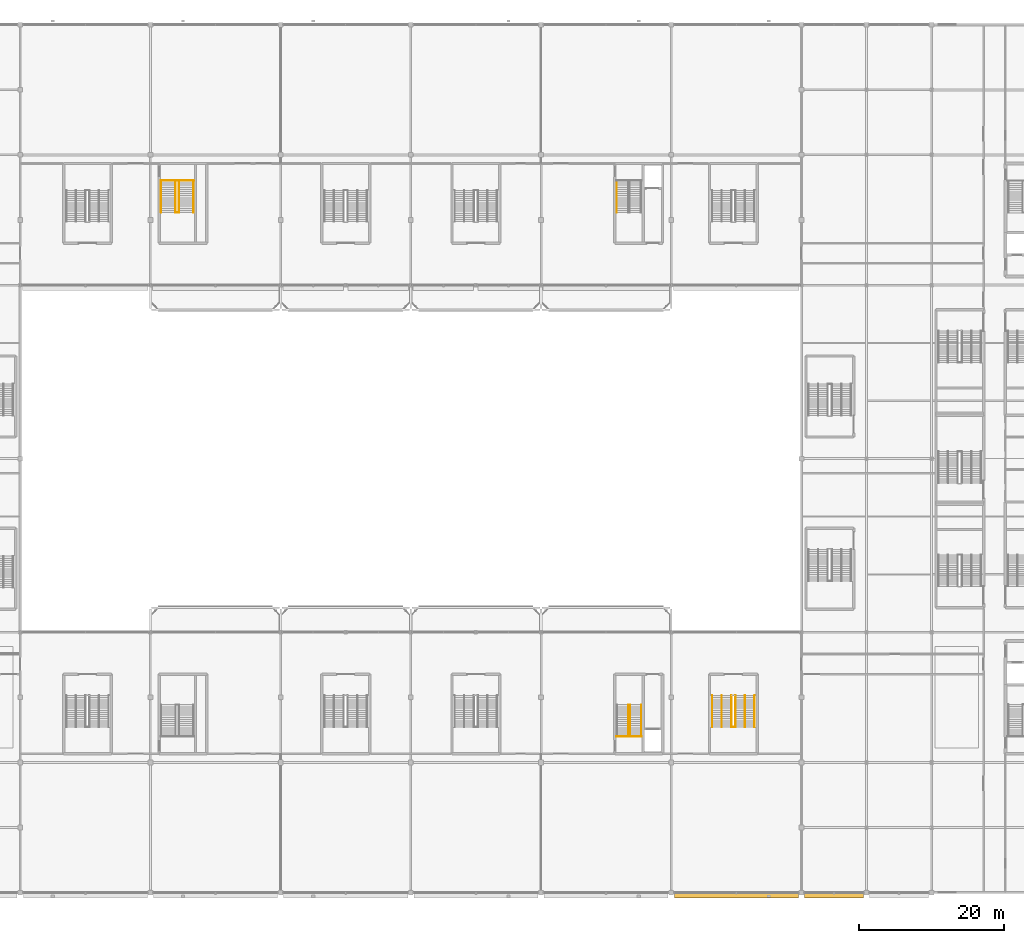
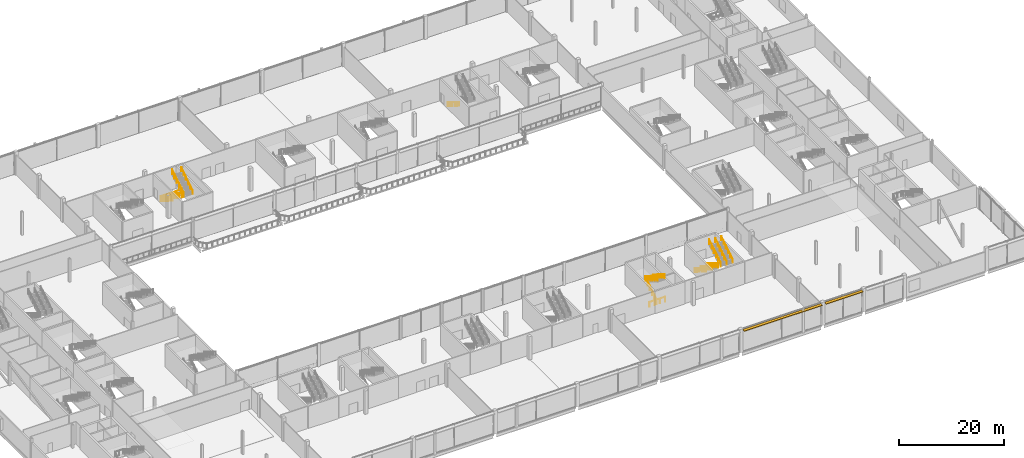
# One storey, part 106 of 113: 13 railings, 2 shading devices.
"""IFC4 building model written with IfcOpenShell, lengths in metres."""

from ifc_helpers import new_model, si_unit, direction, frame, origin, origin_2d, place, context, subcontext, project, spatial, rectangle, circle, extrude, material, type_object, element, save


model = new_model("IFC4")

# Units and contexts
model_context = context("Model", 3, precision=1e-05, world=origin(), true_north=direction((0.0, 1.0)))
body_context = subcontext(model_context, "Body", "Model", "MODEL_VIEW")
ifc_project = project(units=[si_unit("LENGTHUNIT", "METRE"), si_unit("AREAUNIT", "SQUARE_METRE"), si_unit("VOLUMEUNIT", "CUBIC_METRE"), si_unit("PLANEANGLEUNIT", "RADIAN"), si_unit("MASSUNIT", "GRAM", prefix="KILO")], contexts=[model_context])

# Site, building, storey
site_placement = place(None, origin())
site = spatial("IfcSite", under=ifc_project, at=site_placement, CompositionType="ELEMENT")
building_placement = place(site_placement, origin())
building = spatial("IfcBuilding", under=site, at=building_placement, Name="Kisiwana Market Hall", CompositionType="ELEMENT")
storey_placement = place(building_placement, frame((0.0, 0.0, 6.0)))
storey = spatial("IfcBuildingStorey", under=building, at=storey_placement, Name="L01", CompositionType="ELEMENT", Elevation=6.0)

# Railings
ifc_material_1 = material(Name="Steel S275", Category="steel")
railing_type_1 = type_object("IfcRailingType", Name="RL-GUARD-1100", PredefinedType="GUARDRAIL", material=ifc_material_1)
railing_1_placement = place(storey_placement, frame((129.080078125, 21.62939453125, 0.0)))
element("IfcRailing", 1, at=railing_1_placement, inside=storey, type_object=railing_type_1, Name="Stair ST-S2-L01 inner-well guardrail (RL-331)", PredefinedType="GUARDRAIL", context=body_context, shape_type="SweptSolid", body=[
    extrude(circle(Radius=0.02392578125, at=origin_2d()), frame((0.0, 0.0, 1.076171875), z_axis=(0.0, 0.849649743971, 0.527347430608), x_axis=(-1.0, 0.0, 0.0)), (0.0, 0.0, 1.0), 5.119873046875),
    extrude(circle(Radius=0.02392578125, at=origin_2d()), frame((0.0, 4.35009765625, 3.77587890625), z_axis=(1.0, 0.0, 0.0), x_axis=(0.0, 1.0, 0.0)), (0.0, 0.0, 1.0), 0.199951171875),
    extrude(circle(Radius=0.02392578125, at=origin_2d()), frame((0.199951171875, 4.35009765625, 3.77587890625), z_axis=(0.0, -0.849649743971, 0.527347430608), x_axis=(1.0, 0.0, 0.0)), (0.0, 0.0, 1.0), 5.119873046875),
    extrude(circle(Radius=0.02099609375, at=origin_2d()), origin(), (0.0, 0.0, 1.0), 1.052001953125),
    extrude(circle(Radius=0.02099609375, at=origin_2d()), frame((0.0, 0.8701171875, 0.5400390625)), (0.0, 0.0, 1.0), 1.052001953125),
    extrude(circle(Radius=0.02099609375, at=origin_2d()), frame((0.0, 1.739990234375, 1.080078125)), (0.0, 0.0, 1.0), 1.052001953125),
    extrude(circle(Radius=0.02099609375, at=origin_2d()), frame((0.0, 2.610107421875, 1.619873046875)), (0.0, 0.0, 1.0), 1.052001953125),
    extrude(circle(Radius=0.02099609375, at=origin_2d()), frame((0.0, 3.47998046875, 2.159912109375)), (0.0, 0.0, 1.0), 1.052001953125),
    extrude(circle(Radius=0.02099609375, at=origin_2d()), frame((0.0, 4.35009765625, 2.699951171875)), (0.0, 0.0, 1.0), 1.052001953125),
    extrude(circle(Radius=0.02099609375, at=origin_2d()), frame((0.199951171875, 4.35009765625, 2.699951171875)), (0.0, 0.0, 1.0), 1.052001953125),
    extrude(circle(Radius=0.02099609375, at=origin_2d()), frame((0.199951171875, 3.47998046875, 3.239990234375)), (0.0, 0.0, 1.0), 1.052001953125),
    extrude(circle(Radius=0.02099609375, at=origin_2d()), frame((0.199951171875, 2.610107421875, 3.780029296875)), (0.0, 0.0, 1.0), 1.052001953125),
    extrude(circle(Radius=0.02099609375, at=origin_2d()), frame((0.199951171875, 1.739990234375, 4.31982421875)), (0.0, 0.0, 1.0), 1.052001953125),
    extrude(circle(Radius=0.02099609375, at=origin_2d()), frame((0.199951171875, 0.8701171875, 4.85986328125)), (0.0, 0.0, 1.0), 1.052001953125),
    extrude(circle(Radius=0.02099609375, at=origin_2d()), frame((0.199951171875, 0.0, 5.39990234375)), (0.0, 0.0, 1.0), 1.052001953125),
])
railing_2_placement = place(storey_placement, frame((127.43994140625, 21.569580078125, 0.0)))
element("IfcRailing", 2, at=railing_2_placement, inside=storey, type_object=railing_type_1, Name="Stair ST-S2-L01 landing edge guardrail (RL-334)", PredefinedType="GUARDRAIL", context=body_context, shape_type="SweptSolid", body=[
    extrude(circle(Radius=0.02392578125, at=origin_2d()), frame((0.0, 0.0, 1.076171875), z_axis=(1.0, 0.0, 0.0), x_axis=(0.0, 1.0, 0.0)), (0.0, 0.0, 1.0), 3.47998046875),
    extrude(circle(Radius=0.02099609375, at=origin_2d()), origin(), (0.0, 0.0, 1.0), 1.052001953125),
    extrude(circle(Radius=0.02099609375, at=origin_2d()), frame((1.159912109375, 0.0, 0.0)), (0.0, 0.0, 1.0), 1.052001953125),
    extrude(circle(Radius=0.02099609375, at=origin_2d()), frame((2.320068359375, 0.0, 0.0)), (0.0, 0.0, 1.0), 1.052001953125),
    extrude(circle(Radius=0.02099609375, at=origin_2d()), frame((3.47998046875, 0.0, 0.0)), (0.0, 0.0, 1.0), 1.052001953125),
])
railing_3_placement = place(storey_placement, frame((66.47998046875, 98.390380859375, 0.0)))
element("IfcRailing", 3, at=railing_3_placement, inside=storey, type_object=railing_type_1, Name="Stair ST-N1-L01 inner-well guardrail (RL-335)", PredefinedType="GUARDRAIL", context=body_context, shape_type="SweptSolid", body=[
    extrude(circle(Radius=0.02392578125, at=origin_2d()), frame((0.0, 0.0, 1.076171875), z_axis=(0.0, -0.849636482215, 0.527368797038), x_axis=(1.0, 0.0, 0.0)), (0.0, 0.0, 1.0), 5.11962890625),
    extrude(circle(Radius=0.02392578125, at=origin_2d()), frame((0.0, -4.349853515625, 3.77587890625), z_axis=(1.0, 0.0, 0.0), x_axis=(0.0, 1.0, 0.0)), (0.0, 0.0, 1.0), 0.4599609375),
    extrude(circle(Radius=0.02392578125, at=origin_2d()), frame((0.4599609375, -4.349853515625, 3.77587890625), z_axis=(0.0, 0.849636482215, 0.527368797038), x_axis=(-1.0, 0.0, 0.0)), (0.0, 0.0, 1.0), 5.11962890625),
    extrude(circle(Radius=0.02099609375, at=origin_2d()), origin(), (0.0, 0.0, 1.0), 1.052001953125),
    extrude(circle(Radius=0.02099609375, at=origin_2d()), frame((0.0, -0.869873046875, 0.5400390625)), (0.0, 0.0, 1.0), 1.052001953125),
    extrude(circle(Radius=0.02099609375, at=origin_2d()), frame((0.0, -1.739990234375, 1.080078125)), (0.0, 0.0, 1.0), 1.052001953125),
    extrude(circle(Radius=0.02099609375, at=origin_2d()), frame((0.0, -2.60986328125, 1.619873046875)), (0.0, 0.0, 1.0), 1.052001953125),
    extrude(circle(Radius=0.02099609375, at=origin_2d()), frame((0.0, -3.47998046875, 2.159912109375)), (0.0, 0.0, 1.0), 1.052001953125),
    extrude(circle(Radius=0.02099609375, at=origin_2d()), frame((0.0, -4.349853515625, 2.699951171875)), (0.0, 0.0, 1.0), 1.052001953125),
    extrude(circle(Radius=0.02099609375, at=origin_2d()), frame((0.4599609375, -4.349853515625, 2.699951171875)), (0.0, 0.0, 1.0), 1.052001953125),
    extrude(circle(Radius=0.02099609375, at=origin_2d()), frame((0.4599609375, -3.47998046875, 3.239990234375)), (0.0, 0.0, 1.0), 1.052001953125),
    extrude(circle(Radius=0.02099609375, at=origin_2d()), frame((0.4599609375, -2.60986328125, 3.780029296875)), (0.0, 0.0, 1.0), 1.052001953125),
    extrude(circle(Radius=0.02099609375, at=origin_2d()), frame((0.4599609375, -1.739990234375, 4.31982421875)), (0.0, 0.0, 1.0), 1.052001953125),
    extrude(circle(Radius=0.02099609375, at=origin_2d()), frame((0.4599609375, -0.869873046875, 4.85986328125)), (0.0, 0.0, 1.0), 1.052001953125),
    extrude(circle(Radius=0.02099609375, at=origin_2d()), frame((0.4599609375, 0.0, 5.39990234375)), (0.0, 0.0, 1.0), 1.052001953125),
])
railing_4_placement = place(storey_placement, frame((64.419921875, 98.450439453125, 0.0)))
element("IfcRailing", 4, at=railing_4_placement, inside=storey, type_object=railing_type_1, Name="Stair ST-N1-L01 landing edge guardrail (RL-338)", PredefinedType="GUARDRAIL", context=body_context, shape_type="SweptSolid", body=[
    extrude(circle(Radius=0.02392578125, at=origin_2d()), frame((0.0, 0.0, 1.076171875), z_axis=(1.0, 0.0, 0.0), x_axis=(0.0, 1.0, 0.0)), (0.0, 0.0, 1.0), 4.580078125),
    extrude(circle(Radius=0.02099609375, at=origin_2d()), origin(), (0.0, 0.0, 1.0), 1.052001953125),
    extrude(circle(Radius=0.02099609375, at=origin_2d()), frame((1.14501953125, 0.0, 0.0)), (0.0, 0.0, 1.0), 1.052001953125),
    extrude(circle(Radius=0.02099609375, at=origin_2d()), frame((2.2900390625, 0.0, 0.0)), (0.0, 0.0, 1.0), 1.052001953125),
    extrude(circle(Radius=0.02099609375, at=origin_2d()), frame((3.43505859375, 0.0, 0.0)), (0.0, 0.0, 1.0), 1.052001953125),
    extrude(circle(Radius=0.02099609375, at=origin_2d()), frame((4.580078125, 0.0, 0.0)), (0.0, 0.0, 1.0), 1.052001953125),
])
railing_5_placement = place(storey_placement, frame((143.320068359375, 27.239990234375, 0.0)))
element("IfcRailing", 5, at=railing_5_placement, inside=storey, type_object=railing_type_1, Name="Stair ST-S6-L01 inner-well guardrail (RL-463)", PredefinedType="GUARDRAIL", context=body_context, shape_type="SweptSolid", body=[
    extrude(circle(Radius=0.02392578125, at=origin_2d()), frame((0.0, 0.0, 1.076171875), z_axis=(0.0, -0.849649743971, 0.527347430608), x_axis=(1.0, 0.0, 0.0)), (0.0, 0.0, 1.0), 5.119873046875),
    extrude(circle(Radius=0.02392578125, at=origin_2d()), frame((0.0, -4.35009765625, 3.77587890625), z_axis=(1.0, 0.0, 0.0), x_axis=(0.0, 1.0, 0.0)), (0.0, 0.0, 1.0), 0.559814453125),
    extrude(circle(Radius=0.02392578125, at=origin_2d()), frame((0.559814453125, -4.35009765625, 3.77587890625), z_axis=(0.0, 0.849649743971, 0.527347430608), x_axis=(-1.0, 0.0, 0.0)), (0.0, 0.0, 1.0), 5.119873046875),
    extrude(circle(Radius=0.02099609375, at=origin_2d()), origin(), (0.0, 0.0, 1.0), 1.052001953125),
    extrude(circle(Radius=0.02099609375, at=origin_2d()), frame((0.0, -0.8701171875, 0.5400390625)), (0.0, 0.0, 1.0), 1.052001953125),
    extrude(circle(Radius=0.02099609375, at=origin_2d()), frame((0.0, -1.739990234375, 1.080078125)), (0.0, 0.0, 1.0), 1.052001953125),
    extrude(circle(Radius=0.02099609375, at=origin_2d()), frame((0.0, -2.610107421875, 1.619873046875)), (0.0, 0.0, 1.0), 1.052001953125),
    extrude(circle(Radius=0.02099609375, at=origin_2d()), frame((0.0, -3.47998046875, 2.159912109375)), (0.0, 0.0, 1.0), 1.052001953125),
    extrude(circle(Radius=0.02099609375, at=origin_2d()), frame((0.0, -4.35009765625, 2.699951171875)), (0.0, 0.0, 1.0), 1.052001953125),
    extrude(circle(Radius=0.02099609375, at=origin_2d()), frame((0.559814453125, -4.35009765625, 2.699951171875)), (0.0, 0.0, 1.0), 1.052001953125),
    extrude(circle(Radius=0.02099609375, at=origin_2d()), frame((0.559814453125, -3.47998046875, 3.239990234375)), (0.0, 0.0, 1.0), 1.052001953125),
    extrude(circle(Radius=0.02099609375, at=origin_2d()), frame((0.559814453125, -2.610107421875, 3.780029296875)), (0.0, 0.0, 1.0), 1.052001953125),
    extrude(circle(Radius=0.02099609375, at=origin_2d()), frame((0.559814453125, -1.739990234375, 4.31982421875)), (0.0, 0.0, 1.0), 1.052001953125),
    extrude(circle(Radius=0.02099609375, at=origin_2d()), frame((0.559814453125, -0.8701171875, 4.85986328125)), (0.0, 0.0, 1.0), 1.052001953125),
    extrude(circle(Radius=0.02099609375, at=origin_2d()), frame((0.559814453125, 0.0, 5.39990234375)), (0.0, 0.0, 1.0), 1.052001953125),
])
ifc_material_2 = material(Name="Steel S275", Category="steel")
railing_type_2 = type_object("IfcRailingType", Name="RL-HAND-900", PredefinedType="HANDRAIL", material=ifc_material_2)
railing_6_placement = place(storey_placement, frame((130.860107421875, 25.9794921875, 2.699951171875)))
element("IfcRailing", 6, at=railing_6_placement, inside=storey, type_object=railing_type_2, Name="Stair ST-S2-L01 flight 2 handrail (RL-333)", PredefinedType="HANDRAIL", context=body_context, shape_type="SweptSolid", body=[
    extrude(circle(Radius=0.02392578125, at=origin_2d()), frame((0.0, 0.0, 0.8759765625), z_axis=(0.0, -0.849649743971, 0.527347430608), x_axis=(1.0, 0.0, 0.0)), (0.0, 0.0, 1.0), 5.119873046875),
    extrude(circle(Radius=0.02099609375, at=origin_2d()), origin(), (0.0, 0.0, 1.0), 0.851806640625),
    extrude(circle(Radius=0.02099609375, at=origin_2d()), frame((0.0, -0.8701171875, 0.5400390625)), (0.0, 0.0, 1.0), 0.851806640625),
    extrude(circle(Radius=0.02099609375, at=origin_2d()), frame((0.0, -1.739990234375, 1.080078125)), (0.0, 0.0, 1.0), 0.851806640625),
    extrude(circle(Radius=0.02099609375, at=origin_2d()), frame((0.0, -2.610107421875, 1.619873046875)), (0.0, 0.0, 1.0), 0.851806640625),
    extrude(circle(Radius=0.02099609375, at=origin_2d()), frame((0.0, -3.47998046875, 2.159912109375)), (0.0, 0.0, 1.0), 0.851806640625),
    extrude(circle(Radius=0.02099609375, at=origin_2d()), frame((0.0, -4.35009765625, 2.699951171875)), (0.0, 0.0, 1.0), 0.851806640625),
])
railing_7_placement = place(storey_placement, frame((64.47998046875, 98.390380859375, 0.0)))
element("IfcRailing", 7, at=railing_7_placement, inside=storey, type_object=railing_type_2, Name="Stair ST-N1-L01 flight 1 handrail (RL-336)", PredefinedType="HANDRAIL", context=body_context, shape_type="SweptSolid", body=[
    extrude(circle(Radius=0.02392578125, at=origin_2d()), frame((0.0, 0.0, 0.8759765625), z_axis=(0.0, -0.849636482215, 0.527368797038), x_axis=(1.0, 0.0, 0.0)), (0.0, 0.0, 1.0), 5.11962890625),
    extrude(circle(Radius=0.02099609375, at=origin_2d()), origin(), (0.0, 0.0, 1.0), 0.851806640625),
    extrude(circle(Radius=0.02099609375, at=origin_2d()), frame((0.0, -0.869873046875, 0.5400390625)), (0.0, 0.0, 1.0), 0.851806640625),
    extrude(circle(Radius=0.02099609375, at=origin_2d()), frame((0.0, -1.739990234375, 1.080078125)), (0.0, 0.0, 1.0), 0.851806640625),
    extrude(circle(Radius=0.02099609375, at=origin_2d()), frame((0.0, -2.60986328125, 1.619873046875)), (0.0, 0.0, 1.0), 0.851806640625),
    extrude(circle(Radius=0.02099609375, at=origin_2d()), frame((0.0, -3.47998046875, 2.159912109375)), (0.0, 0.0, 1.0), 0.851806640625),
    extrude(circle(Radius=0.02099609375, at=origin_2d()), frame((0.0, -4.349853515625, 2.699951171875)), (0.0, 0.0, 1.0), 0.851806640625),
])
railing_8_placement = place(storey_placement, frame((68.93994140625, 94.04052734375, 2.699951171875)))
element("IfcRailing", 8, at=railing_8_placement, inside=storey, type_object=railing_type_2, Name="Stair ST-N1-L01 flight 2 handrail (RL-337)", PredefinedType="HANDRAIL", context=body_context, shape_type="SweptSolid", body=[
    extrude(circle(Radius=0.02392578125, at=origin_2d()), frame((0.0, 0.0, 0.8759765625), z_axis=(0.0, 0.849636482215, 0.527368797038), x_axis=(-1.0, 0.0, 0.0)), (0.0, 0.0, 1.0), 5.11962890625),
    extrude(circle(Radius=0.02099609375, at=origin_2d()), origin(), (0.0, 0.0, 1.0), 0.851806640625),
    extrude(circle(Radius=0.02099609375, at=origin_2d()), frame((0.0, 0.869873046875, 0.5400390625)), (0.0, 0.0, 1.0), 0.851806640625),
    extrude(circle(Radius=0.02099609375, at=origin_2d()), frame((0.0, 1.739990234375, 1.080078125)), (0.0, 0.0, 1.0), 0.851806640625),
    extrude(circle(Radius=0.02099609375, at=origin_2d()), frame((0.0, 2.60986328125, 1.619873046875)), (0.0, 0.0, 1.0), 0.851806640625),
    extrude(circle(Radius=0.02099609375, at=origin_2d()), frame((0.0, 3.47998046875, 2.159912109375)), (0.0, 0.0, 1.0), 0.851806640625),
    extrude(circle(Radius=0.02099609375, at=origin_2d()), frame((0.0, 4.349853515625, 2.699951171875)), (0.0, 0.0, 1.0), 0.851806640625),
])
railing_9_placement = place(storey_placement, frame((127.47998046875, 98.390380859375, 0.0)))
element("IfcRailing", 9, at=railing_9_placement, inside=storey, type_object=railing_type_2, Name="Stair ST-N2-L01 flight 1 handrail (RL-340)", PredefinedType="HANDRAIL", context=body_context, shape_type="SweptSolid", body=[
    extrude(circle(Radius=0.02392578125, at=origin_2d()), frame((0.0, 0.0, 0.8759765625), z_axis=(0.0, -0.849636482215, 0.527368797038), x_axis=(1.0, 0.0, 0.0)), (0.0, 0.0, 1.0), 5.11962890625),
    extrude(circle(Radius=0.02099609375, at=origin_2d()), origin(), (0.0, 0.0, 1.0), 0.851806640625),
    extrude(circle(Radius=0.02099609375, at=origin_2d()), frame((0.0, -0.869873046875, 0.5400390625)), (0.0, 0.0, 1.0), 0.851806640625),
    extrude(circle(Radius=0.02099609375, at=origin_2d()), frame((0.0, -1.739990234375, 1.080078125)), (0.0, 0.0, 1.0), 0.851806640625),
    extrude(circle(Radius=0.02099609375, at=origin_2d()), frame((0.0, -2.60986328125, 1.619873046875)), (0.0, 0.0, 1.0), 0.851806640625),
    extrude(circle(Radius=0.02099609375, at=origin_2d()), frame((0.0, -3.47998046875, 2.159912109375)), (0.0, 0.0, 1.0), 0.851806640625),
    extrude(circle(Radius=0.02099609375, at=origin_2d()), frame((0.0, -4.349853515625, 2.699951171875)), (0.0, 0.0, 1.0), 0.851806640625),
])
railing_10_placement = place(storey_placement, frame((140.669921875, 27.239990234375, 0.0)))
element("IfcRailing", 10, at=railing_10_placement, inside=storey, type_object=railing_type_2, Name="Stair ST-S6-L01 flight 1 handrail (RL-464)", PredefinedType="HANDRAIL", context=body_context, shape_type="SweptSolid", body=[
    extrude(circle(Radius=0.02392578125, at=origin_2d()), frame((0.0, 0.0, 0.8759765625), z_axis=(0.0, -0.849649743971, 0.527347430608), x_axis=(1.0, 0.0, 0.0)), (0.0, 0.0, 1.0), 5.119873046875),
    extrude(circle(Radius=0.02099609375, at=origin_2d()), origin(), (0.0, 0.0, 1.0), 0.851806640625),
    extrude(circle(Radius=0.02099609375, at=origin_2d()), frame((0.0, -0.8701171875, 0.5400390625)), (0.0, 0.0, 1.0), 0.851806640625),
    extrude(circle(Radius=0.02099609375, at=origin_2d()), frame((0.0, -1.739990234375, 1.080078125)), (0.0, 0.0, 1.0), 0.851806640625),
    extrude(circle(Radius=0.02099609375, at=origin_2d()), frame((0.0, -2.610107421875, 1.619873046875)), (0.0, 0.0, 1.0), 0.851806640625),
    extrude(circle(Radius=0.02099609375, at=origin_2d()), frame((0.0, -3.47998046875, 2.159912109375)), (0.0, 0.0, 1.0), 0.851806640625),
    extrude(circle(Radius=0.02099609375, at=origin_2d()), frame((0.0, -4.35009765625, 2.699951171875)), (0.0, 0.0, 1.0), 0.851806640625),
])
railing_11_placement = place(storey_placement, frame((146.530029296875, 22.889892578125, 2.699951171875)))
element("IfcRailing", 11, at=railing_11_placement, inside=storey, type_object=railing_type_2, Name="Stair ST-S6-L01 flight 2 handrail (RL-465)", PredefinedType="HANDRAIL", context=body_context, shape_type="SweptSolid", body=[
    extrude(circle(Radius=0.02392578125, at=origin_2d()), frame((0.0, 0.0, 0.8759765625), z_axis=(0.0, 0.849649743971, 0.527347430608), x_axis=(-1.0, 0.0, 0.0)), (0.0, 0.0, 1.0), 5.119873046875),
    extrude(circle(Radius=0.02099609375, at=origin_2d()), origin(), (0.0, 0.0, 1.0), 0.851806640625),
    extrude(circle(Radius=0.02099609375, at=origin_2d()), frame((0.0, 0.8701171875, 0.5400390625)), (0.0, 0.0, 1.0), 0.851806640625),
    extrude(circle(Radius=0.02099609375, at=origin_2d()), frame((0.0, 1.739990234375, 1.080078125)), (0.0, 0.0, 1.0), 0.851806640625),
    extrude(circle(Radius=0.02099609375, at=origin_2d()), frame((0.0, 2.610107421875, 1.619873046875)), (0.0, 0.0, 1.0), 0.851806640625),
    extrude(circle(Radius=0.02099609375, at=origin_2d()), frame((0.0, 3.47998046875, 2.159912109375)), (0.0, 0.0, 1.0), 0.851806640625),
    extrude(circle(Radius=0.02099609375, at=origin_2d()), frame((0.0, 4.35009765625, 2.699951171875)), (0.0, 0.0, 1.0), 0.851806640625),
])
railing_12_placement = place(storey_placement, frame((141.989990234375, 27.239990234375, 0.0)))
element("IfcRailing", 12, at=railing_12_placement, inside=storey, type_object=railing_type_2, Name="Stair ST-S6-L01 flight 1 intermediate handrail (RL-466)", PredefinedType="HANDRAIL", context=body_context, shape_type="SweptSolid", body=[
    extrude(circle(Radius=0.02392578125, at=origin_2d()), frame((0.0, 0.0, 0.8759765625), z_axis=(0.0, -0.849649743971, 0.527347430608), x_axis=(1.0, 0.0, 0.0)), (0.0, 0.0, 1.0), 5.119873046875),
    extrude(circle(Radius=0.02099609375, at=origin_2d()), origin(), (0.0, 0.0, 1.0), 0.851806640625),
    extrude(circle(Radius=0.02099609375, at=origin_2d()), frame((0.0, -0.8701171875, 0.5400390625)), (0.0, 0.0, 1.0), 0.851806640625),
    extrude(circle(Radius=0.02099609375, at=origin_2d()), frame((0.0, -1.739990234375, 1.080078125)), (0.0, 0.0, 1.0), 0.851806640625),
    extrude(circle(Radius=0.02099609375, at=origin_2d()), frame((0.0, -2.610107421875, 1.619873046875)), (0.0, 0.0, 1.0), 0.851806640625),
    extrude(circle(Radius=0.02099609375, at=origin_2d()), frame((0.0, -3.47998046875, 2.159912109375)), (0.0, 0.0, 1.0), 0.851806640625),
    extrude(circle(Radius=0.02099609375, at=origin_2d()), frame((0.0, -4.35009765625, 2.699951171875)), (0.0, 0.0, 1.0), 0.851806640625),
])
railing_13_placement = place(storey_placement, frame((145.2099609375, 22.889892578125, 2.699951171875)))
element("IfcRailing", 13, at=railing_13_placement, inside=storey, type_object=railing_type_2, Name="Stair ST-S6-L01 flight 2 intermediate handrail (RL-467)", PredefinedType="HANDRAIL", context=body_context, shape_type="SweptSolid", body=[
    extrude(circle(Radius=0.02392578125, at=origin_2d()), frame((0.0, 0.0, 0.8759765625), z_axis=(0.0, 0.849649743971, 0.527347430608), x_axis=(-1.0, 0.0, 0.0)), (0.0, 0.0, 1.0), 5.119873046875),
    extrude(circle(Radius=0.02099609375, at=origin_2d()), origin(), (0.0, 0.0, 1.0), 0.851806640625),
    extrude(circle(Radius=0.02099609375, at=origin_2d()), frame((0.0, 0.8701171875, 0.5400390625)), (0.0, 0.0, 1.0), 0.851806640625),
    extrude(circle(Radius=0.02099609375, at=origin_2d()), frame((0.0, 1.739990234375, 1.080078125)), (0.0, 0.0, 1.0), 0.851806640625),
    extrude(circle(Radius=0.02099609375, at=origin_2d()), frame((0.0, 2.610107421875, 1.619873046875)), (0.0, 0.0, 1.0), 0.851806640625),
    extrude(circle(Radius=0.02099609375, at=origin_2d()), frame((0.0, 3.47998046875, 2.159912109375)), (0.0, 0.0, 1.0), 0.851806640625),
    extrude(circle(Radius=0.02099609375, at=origin_2d()), frame((0.0, 4.35009765625, 2.699951171875)), (0.0, 0.0, 1.0), 0.851806640625),
])

# Shading devices
ifc_material_3 = material(Name="Aluminium alloy 6063-T6", Category="aluminium")
shading_device_type = type_object("IfcShadingDeviceType", Name="SHD-JALOUSIE-H", PredefinedType="JALOUSIE", material=ifc_material_3)
shading_device_1_placement = place(storey_placement, frame((144.0, -0.419921875, 4.969970703125), z_axis=(0.0, 0.0, 1.0), x_axis=(1.0, 0.0, 0.0)))
element("IfcShadingDevice", 14, at=shading_device_1_placement, inside=storey, type_object=shading_device_type, Name="Aluminium brise-soleil louvre SHD-016 SD-016", PredefinedType="JALOUSIE", context=body_context, shape_type="SweptSolid", body=[
    extrude(rectangle(XDim=17.14990234375, YDim=0.64990234375, at=origin_2d()), origin(), (0.0, 0.0, 1.0), 0.1201171875),
])
shading_device_2_placement = place(storey_placement, frame((157.5, -0.419921875, 4.969970703125), z_axis=(0.0, 0.0, 1.0), x_axis=(1.0, 0.0, 0.0)))
element("IfcShadingDevice", 15, at=shading_device_2_placement, inside=storey, type_object=shading_device_type, Name="Aluminium brise-soleil louvre SHD-017 SD-017", PredefinedType="JALOUSIE", context=body_context, shape_type="SweptSolid", body=[
    extrude(rectangle(XDim=8.14990234375, YDim=0.64990234375, at=origin_2d()), origin(), (0.0, 0.0, 1.0), 0.1201171875),
])

save(model, "model.ifc")
